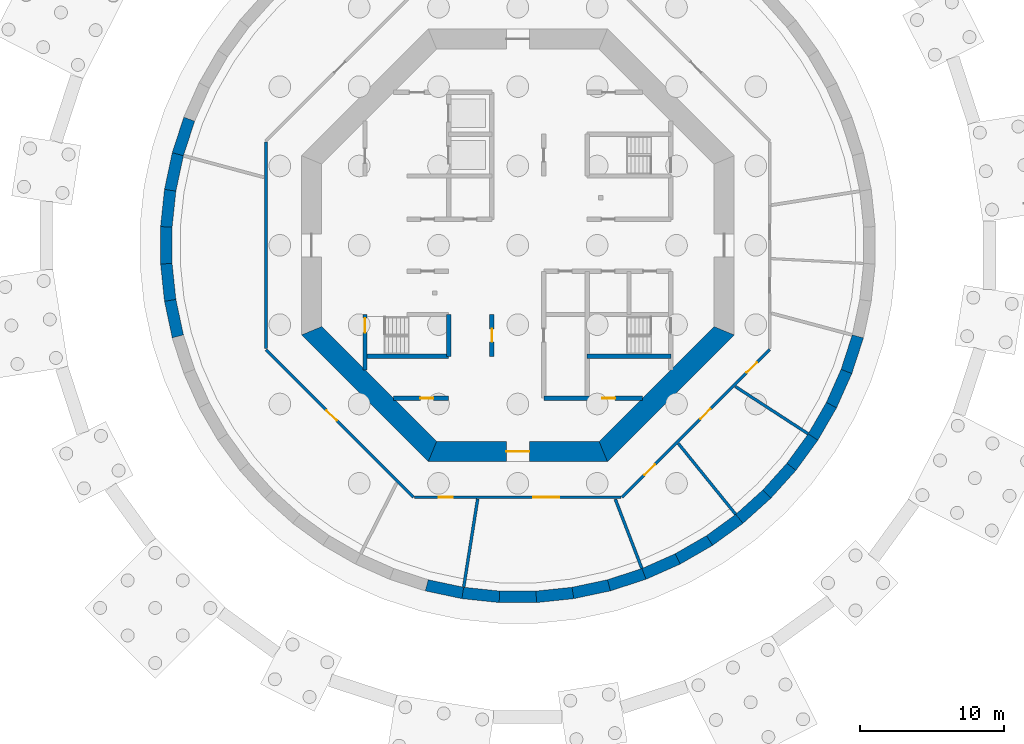
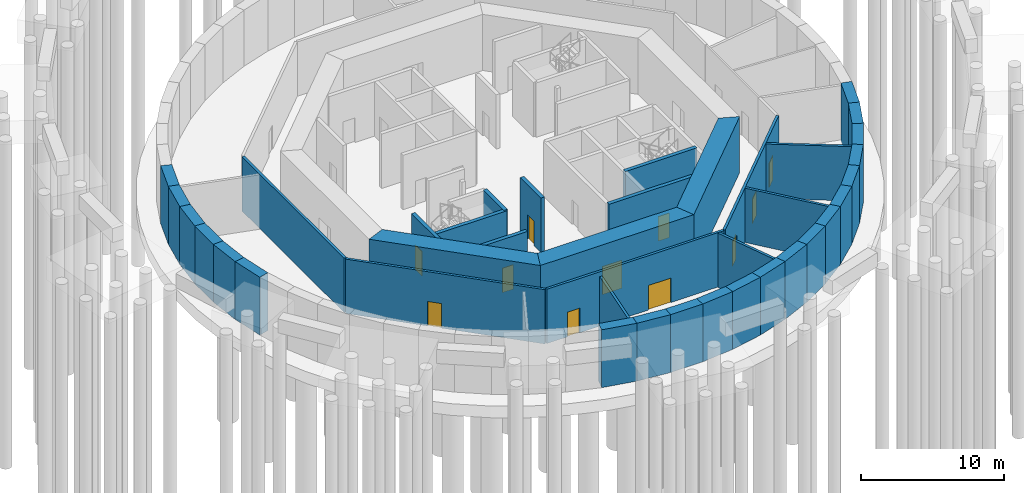
# One storey, part 3 of 8: 39 walls, 11 doors, 11 openings.
"""IFC4 building model written with IfcOpenShell, lengths in metres."""

from ifc_helpers import new_model, si_unit, direction, frame, frame_2d, origin, place, context, subcontext, project, spatial, polyline, rectangle, outline, extrude, material, layer, layer_set, type_object, element, fill, save


model = new_model("IFC4")

# Units and contexts
model_context = context("Model", 3, precision=1e-05, world=origin(), true_north=direction((0.0, 1.0)))
body_context = subcontext(model_context, "Body", "Model", "MODEL_VIEW")
ifc_project = project(units=[si_unit("LENGTHUNIT", "METRE"), si_unit("AREAUNIT", "SQUARE_METRE"), si_unit("VOLUMEUNIT", "CUBIC_METRE"), si_unit("PLANEANGLEUNIT", "RADIAN"), si_unit("MASSUNIT", "GRAM", prefix="KILO")], contexts=[model_context])

# Site, building, storey
site_placement = place(None, origin())
site = spatial("IfcSite", under=ifc_project, at=site_placement, CompositionType="ELEMENT")
building_placement = place(site_placement, origin())
building = spatial("IfcBuilding", under=site, at=building_placement, Name="Entoto Ring Tower", CompositionType="ELEMENT")
storey_placement = place(building_placement, frame((0.0, 0.0, -9.60009765625)))
storey = spatial("IfcBuildingStorey", under=building, at=storey_placement, Name="B2", CompositionType="ELEMENT", Elevation=-9.60009765625)

# Wall, opening, door
ifc_material_1 = material(Name="Concrete C40/50", Category="concrete")
ifc_layer_1 = layer(ifc_material_1, 0.300048828125)
ifc_layer_set_1 = layer_set([ifc_layer_1], Name="Concrete C40/50")
wall_type_1 = type_object("IfcWallType", Name="Core enclosure wall 300 mm reinforced concrete", PredefinedType="SOLIDWALL", material=ifc_layer_set_1)
wall_1_placement = place(storey_placement, frame((88.199951171875, 72.300048828125, 0.0), z_axis=(0.0, 0.0, 1.0), x_axis=(0.0, 1.0, 0.0)))
wall_1 = element("IfcWall", 1, at=wall_1_placement, inside=storey, type_object=wall_type_1, Name="wall-B2-008", PredefinedType="SOLIDWALL", context=body_context, shape_type="SweptSolid", body=[
    extrude(rectangle(XDim=2.89990234375, YDim=0.300048828125, at=frame_2d((1.449951171875, 0.0))), origin(), (0.0, 0.0, 1.0), 4.650146484375),
])
opening_1_placement = place(wall_1_placement, frame((1.0, 0.0, 0.0)))
opening_1 = element("IfcOpeningElement", 2, at=opening_1_placement, cuts=wall_1, Name="Opening K-07", PredefinedType="OPENING", context=body_context, shape_type="SweptSolid", body=[
    extrude(rectangle(XDim=0.89990234375, YDim=2.10009765625, at=frame_2d((0.449951171875, 1.050048828125))), frame((0.0, 0.16015625, 0.0), z_axis=(0.0, -1.0, 0.0), x_axis=(1.0, 0.0, 0.0)), (0.0, 0.0, 1.0), 0.320068359375),
])
ifc_material_2 = material(Name="Steel door leaf, fire rated", Category="steel")
ifc_layer_2 = layer(ifc_material_2, 0.050048828125)
ifc_layer_set_2 = layer_set([ifc_layer_2], Name="Steel door leaf, fire rated")
door_type_1 = type_object("IfcDoorType", Name="Core door 900 x 2100 single leaf", OperationType="NOTDEFINED", PredefinedType="DOOR", material=ifc_layer_set_2)
door_1_placement = place(opening_1_placement, origin())
door_1 = element("IfcDoor", 3, at=door_1_placement, inside=storey, type_object=door_type_1, Name="Door K-07", OperationType="SINGLE_SWING_LEFT", OverallHeight=2.10009765625, OverallWidth=0.89990234375, PredefinedType="DOOR", context=body_context, shape_type="SweptSolid", body=[
    extrude(rectangle(XDim=0.89990234375, YDim=2.10009765625, at=frame_2d((0.449951171875, 1.050048828125))), frame((0.0, 0.02490234375, 0.0), z_axis=(0.0, -1.0, 0.0), x_axis=(1.0, 0.0, 0.0)), (0.0, 0.0, 1.0), 0.050048828125),
])
fill(opening_1, door_1)

# Wall
wall_2_placement = place(storey_placement, frame((85.199951171875, 72.300048828125, 0.0), z_axis=(0.0, 0.0, 1.0), x_axis=(0.0, 1.0, 0.0)))
element("IfcWall", 4, at=wall_2_placement, inside=storey, type_object=wall_type_1, Name="wall-B2-010", PredefinedType="SOLIDWALL", context=body_context, shape_type="SweptSolid", body=[
    extrude(rectangle(XDim=2.89990234375, YDim=0.300048828125, at=frame_2d((1.449951171875, 0.0))), origin(), (0.0, 0.0, 1.0), 4.650146484375),
])

# Wall, opening, door
wall_3_placement = place(storey_placement, frame((79.39990234375, 71.36669921875, 0.0), z_axis=(0.0, 0.0, 1.0), x_axis=(0.0, 1.0, 0.0)))
wall_3 = element("IfcWall", 5, at=wall_3_placement, inside=storey, type_object=wall_type_1, Name="wall-B2-012", PredefinedType="SOLIDWALL", context=body_context, shape_type="SweptSolid", body=[
    extrude(rectangle(XDim=3.833251953125, YDim=0.300048828125, at=frame_2d((1.91650390625, 0.0))), origin(), (0.0, 0.0, 1.0), 4.650146484375),
])
opening_2_placement = place(wall_3_placement, frame((2.583251953125, 0.0, 0.0)))
opening_2 = element("IfcOpeningElement", 6, at=opening_2_placement, cuts=wall_3, Name="Opening K-55", PredefinedType="OPENING", context=body_context, shape_type="SweptSolid", body=[
    extrude(rectangle(XDim=1.0, YDim=2.10009765625, at=frame_2d((0.5, 1.050048828125))), frame((0.0, 0.16015625, 0.0), z_axis=(0.0, -1.0, 0.0), x_axis=(1.0, 0.0, 0.0)), (0.0, 0.0, 1.0), 0.320068359375),
])
ifc_material_3 = material(Name="Steel door leaf, fire rated", Category="steel")
ifc_layer_3 = layer(ifc_material_3, 0.050048828125)
ifc_layer_set_3 = layer_set([ifc_layer_3], Name="Steel door leaf, fire rated")
door_type_2 = type_object("IfcDoorType", Name="Fire door FD60 1000 x 2100 single leaf", OperationType="NOTDEFINED", PredefinedType="DOOR", material=ifc_layer_set_3)
door_2_placement = place(opening_2_placement, frame((1.0, 0.0, 0.0), z_axis=(0.0, 0.0, 1.0), x_axis=(-1.0, 0.0, 0.0)))
door_2 = element("IfcDoor", 7, at=door_2_placement, inside=storey, type_object=door_type_2, Name="Door K-55", OperationType="SINGLE_SWING_LEFT", OverallHeight=2.10009765625, OverallWidth=1.0, PredefinedType="DOOR", context=body_context, shape_type="SweptSolid", body=[
    extrude(rectangle(XDim=1.0, YDim=2.10009765625, at=frame_2d((0.5, 1.050048828125))), frame((0.0, 0.02490234375, 0.0), z_axis=(0.0, -1.0, 0.0), x_axis=(1.0, 0.0, 0.0)), (0.0, 0.0, 1.0), 0.050048828125),
])
fill(opening_2, door_2)

wall_4_placement = place(storey_placement, frame((81.36669921875, 69.39990234375, 0.0), z_axis=(0.0, 0.0, 1.0), x_axis=(1.0, 0.0, 0.0)))
wall_4 = element("IfcWall", 8, at=wall_4_placement, inside=storey, type_object=wall_type_1, Name="wall-B2-014", PredefinedType="SOLIDWALL", context=body_context, shape_type="SweptSolid", body=[
    extrude(rectangle(XDim=3.833251953125, YDim=0.300048828125, at=frame_2d((1.91650390625, 0.0))), origin(), (0.0, 0.0, 1.0), 4.650146484375),
])
opening_3_placement = place(wall_4_placement, frame((1.88330078125, 0.0, 0.0)))
opening_3 = element("IfcOpeningElement", 9, at=opening_3_placement, cuts=wall_4, Name="Opening K-62", PredefinedType="OPENING", context=body_context, shape_type="SweptSolid", body=[
    extrude(rectangle(XDim=0.89990234375, YDim=2.10009765625, at=frame_2d((0.449951171875, 1.050048828125))), frame((0.0, 0.16015625, 0.0), z_axis=(0.0, -1.0, 0.0), x_axis=(1.0, 0.0, 0.0)), (0.0, 0.0, 1.0), 0.320068359375),
])
ifc_material_4 = material(Name="Steel door leaf, fire rated", Category="steel")
ifc_layer_4 = layer(ifc_material_4, 0.050048828125)
ifc_layer_set_4 = layer_set([ifc_layer_4], Name="Steel door leaf, fire rated")
door_type_3 = type_object("IfcDoorType", Name="Riser door FD60 900 x 2100 single leaf", OperationType="NOTDEFINED", PredefinedType="DOOR", material=ifc_layer_set_4)
door_3_placement = place(opening_3_placement, origin())
door_3 = element("IfcDoor", 10, at=door_3_placement, inside=storey, type_object=door_type_3, Name="Door K-62", OperationType="SINGLE_SWING_RIGHT", OverallHeight=2.10009765625, OverallWidth=0.89990234375, PredefinedType="DOOR", context=body_context, shape_type="SweptSolid", body=[
    extrude(rectangle(XDim=0.89990234375, YDim=2.10009765625, at=frame_2d((0.449951171875, 1.050048828125))), frame((0.0, 0.02490234375, 0.0), z_axis=(0.0, -1.0, 0.0), x_axis=(1.0, 0.0, 0.0)), (0.0, 0.0, 1.0), 0.050048828125),
])
fill(opening_3, door_3)

wall_5_placement = place(storey_placement, frame((91.800048828125, 69.39990234375, 0.0), z_axis=(0.0, 0.0, 1.0), x_axis=(1.0, 0.0, 0.0)))
wall_5 = element("IfcWall", 11, at=wall_5_placement, inside=storey, type_object=wall_type_1, Name="wall-B2-015", PredefinedType="SOLIDWALL", context=body_context, shape_type="SweptSolid", body=[
    extrude(rectangle(XDim=6.833251953125, YDim=0.300048828125, at=frame_2d((3.41650390625, 0.0))), origin(), (0.0, 0.0, 1.0), 4.650146484375),
])
opening_4_placement = place(wall_5_placement, frame((4.050048828125, 0.0, 0.0)))
opening_4 = element("IfcOpeningElement", 12, at=opening_4_placement, cuts=wall_5, Name="Opening K-20", PredefinedType="OPENING", context=body_context, shape_type="SweptSolid", body=[
    extrude(rectangle(XDim=0.89990234375, YDim=2.10009765625, at=frame_2d((0.449951171875, 1.050048828125))), frame((0.0, 0.16015625, 0.0), z_axis=(0.0, -1.0, 0.0), x_axis=(1.0, 0.0, 0.0)), (0.0, 0.0, 1.0), 0.320068359375),
])
door_4_placement = place(opening_4_placement, origin())
door_4 = element("IfcDoor", 13, at=door_4_placement, inside=storey, type_object=door_type_3, Name="Door K-20", OperationType="SINGLE_SWING_LEFT", OverallHeight=2.10009765625, OverallWidth=0.89990234375, PredefinedType="DOOR", context=body_context, shape_type="SweptSolid", body=[
    extrude(rectangle(XDim=0.89990234375, YDim=2.10009765625, at=frame_2d((0.449951171875, 1.050048828125))), frame((0.0, 0.02490234375, 0.0), z_axis=(0.0, -1.0, 0.0), x_axis=(1.0, 0.0, 0.0)), (0.0, 0.0, 1.0), 0.050048828125),
])
fill(opening_4, door_4)

# Walls
for number, where, z_axis, x_axis, name in (
    (14, (79.39990234375, 72.300048828125, 0.0), (0.0, 0.0, 1.0), (1.0, 0.0, 0.0), "wall-B2-016"),
    (15, (94.800048828125, 72.300048828125, 0.0), (0.0, 0.0, 1.0), (1.0, 0.0, 0.0), "wall-B2-017"),
):
    element("IfcWall", number, at=place(storey_placement, frame(where, z_axis=z_axis, x_axis=x_axis)), inside=storey, type_object=wall_type_1, Name=name, PredefinedType="SOLIDWALL", context=body_context, shape_type="SweptSolid", body=[
        extrude(rectangle(XDim=5.800048828125, YDim=0.300048828125, at=frame_2d((2.89990234375, 0.0))), origin(), (0.0, 0.0, 1.0), 4.650146484375),
    ])
ifc_material_5 = material(Name="Concrete C60/75", Category="concrete")
ifc_layer_5 = layer(ifc_material_5, 1.39990234375)
ifc_layer_set_5 = layer_set([ifc_layer_5], Name="Concrete C60/75")
wall_type_2 = type_object("IfcWallType", Name="Core shear wall 1400 mm reinforced concrete C60/75", PredefinedType="SHEAR", material=ifc_layer_set_5)
wall_6_placement = place(storey_placement, frame((75.699951171875, 74.07666015625, 0.0), z_axis=(0.0, 0.0, 1.0), x_axis=(0.707106781187, -0.707106781187, 0.0)))
element("IfcWall", 16, at=wall_6_placement, inside=storey, type_object=wall_type_2, Name="wall-B2-core-5", PredefinedType="SHEAR", context=body_context, shape_type="SweptSolid", body=[
    extrude(outline(polyline([(-0.2900390625, -0.699951171875), (12.136474609375, -0.699951171875), (11.556396484375, 0.699951171875), (0.2900390625, 0.699951171875), (-0.2900390625, -0.699951171875)])), origin(), (0.0, 0.0, 1.0), 4.800048828125),
])

# Wall, opening, door
wall_7_placement = place(storey_placement, frame((84.07666015625, 65.699951171875, 0.0), z_axis=(0.0, 0.0, 1.0), x_axis=(1.0, 0.0, 0.0)))
wall_7 = element("IfcWall", 17, at=wall_7_placement, inside=storey, type_object=wall_type_2, Name="wall-B2-core-6", PredefinedType="SHEAR", context=body_context, shape_type="SweptSolid", body=[
    extrude(outline(polyline([(-0.2900390625, -0.699951171875), (12.13671875, -0.699951171875), (11.556640625, 0.699951171875), (0.2900390625, 0.699951171875), (-0.2900390625, -0.699951171875)])), origin(), (0.0, 0.0, 1.0), 4.800048828125),
])
opening_5_placement = place(wall_7_placement, frame((5.123291015625, 0.0, 0.0)))
opening_5 = element("IfcOpeningElement", 18, at=opening_5_placement, cuts=wall_7, Name="Opening K-04", PredefinedType="OPENING", context=body_context, shape_type="SweptSolid", body=[
    extrude(rectangle(XDim=1.60009765625, YDim=2.39990234375, at=frame_2d((0.800048828125, 1.199951171875))), frame((0.0, 0.7099609375, 0.0), z_axis=(0.0, -1.0, 0.0), x_axis=(1.0, 0.0, 0.0)), (0.0, 0.0, 1.0), 1.419921875),
])
ifc_material_6 = material(Name="Steel door leaf, fire rated", Category="steel")
ifc_layer_6 = layer(ifc_material_6, 0.050048828125)
ifc_layer_set_6 = layer_set([ifc_layer_6], Name="Steel door leaf, fire rated")
door_type_4 = type_object("IfcDoorType", Name="Entrance door FD60 1600 x 2400 double leaf", OperationType="DOUBLE_DOOR_SINGLE_SWING", PredefinedType="DOOR", material=ifc_layer_set_6)
door_5_placement = place(opening_5_placement, origin())
door_5 = element("IfcDoor", 19, at=door_5_placement, inside=storey, type_object=door_type_4, Name="Entrance door K-04", OperationType="DOUBLE_DOOR_SINGLE_SWING", OverallHeight=2.39990234375, OverallWidth=1.60009765625, PredefinedType="DOOR", context=body_context, shape_type="SweptSolid", body=[
    extrude(rectangle(XDim=1.60009765625, YDim=2.39990234375, at=frame_2d((0.800048828125, 1.199951171875))), frame((0.0, 0.02490234375, 0.0), z_axis=(0.0, -1.0, 0.0), x_axis=(1.0, 0.0, 0.0)), (0.0, 0.0, 1.0), 0.050048828125),
])
fill(opening_5, door_5)

# Wall
wall_8_placement = place(storey_placement, frame((95.92333984375, 65.699951171875, 0.0), z_axis=(0.0, 0.0, 1.0), x_axis=(0.707106781187, 0.707106781187, 0.0)))
element("IfcWall", 20, at=wall_8_placement, inside=storey, type_object=wall_type_2, Name="wall-B2-core-7", PredefinedType="SHEAR", context=body_context, shape_type="SweptSolid", body=[
    extrude(outline(polyline([(-0.2900390625, -0.699951171875), (12.136474609375, -0.699951171875), (11.556396484375, 0.699951171875), (0.2900390625, 0.699951171875), (-0.2900390625, -0.699951171875)])), origin(), (0.0, 0.0, 1.0), 4.800048828125),
])

# Wall, opening, door
ifc_material_7 = material(Name="Concrete C20/25", Category="concrete")
ifc_layer_7 = layer(ifc_material_7, 0.199951171875)
ifc_layer_set_7 = layer_set([ifc_layer_7], Name="Concrete C20/25")
wall_type_3 = type_object("IfcWallType", Name="Plant room wall 200 mm two-hour concrete", PredefinedType="PARTITIONING", material=ifc_layer_set_7)
wall_9_placement = place(storey_placement, frame((82.766845703125, 62.53759765625, 0.0), z_axis=(0.0, 0.0, 1.0), x_axis=(-0.707106781187, 0.707106781187, 0.0)))
wall_9 = element("IfcWall", 21, at=wall_9_placement, inside=storey, type_object=wall_type_3, Name="partition-B2-004", PredefinedType="PARTITIONING", context=body_context, shape_type="SweptSolid", body=[
    extrude(rectangle(XDim=14.46630859375, YDim=0.199951171875, at=frame_2d((7.233154296875, 0.0))), origin(), (0.0, 0.0, 1.0), 4.650146484375),
])
opening_6_placement = place(wall_9_placement, frame((7.5126953125, 0.0, 0.0)))
opening_6 = element("IfcOpeningElement", 22, at=opening_6_placement, cuts=wall_9, Name="Opening B02-D03", PredefinedType="OPENING", context=body_context, shape_type="SweptSolid", body=[
    extrude(rectangle(XDim=1.0, YDim=2.10009765625, at=frame_2d((0.5, 1.050048828125))), frame((0.0, 0.10986328125, 0.0), z_axis=(0.0, -1.0, 0.0), x_axis=(1.0, 0.0, 0.0)), (0.0, 0.0, 1.0), 0.219970703125),
])
ifc_material_8 = material(Name="Fire-resisting steel door set", Category="steel")
door_type_5 = type_object("IfcDoorType", Name="Door 1000 x 2100 single leaf FD60 steel door", OperationType="NOTDEFINED", PredefinedType="DOOR", material=ifc_material_8)
door_6_placement = place(opening_6_placement, origin())
door_6 = element("IfcDoor", 23, at=door_6_placement, inside=storey, type_object=door_type_5, Name="Door B02-D03", OperationType="SINGLE_SWING_LEFT", OverallHeight=2.10009765625, OverallWidth=1.0, PredefinedType="DOOR", context=body_context, shape_type="SweptSolid", body=[
    extrude(rectangle(XDim=1.0, YDim=2.10009765625, at=frame_2d((0.5, 1.050048828125))), frame((0.0, 0.02490234375, 0.0), z_axis=(0.0, -1.0, 0.0), x_axis=(1.0, 0.0, 0.0)), (0.0, 0.0, 1.0), 0.050048828125),
])
fill(opening_6, door_6)

# Wall, openings, doors
wall_10_placement = place(storey_placement, frame((97.233154296875, 62.53759765625, 0.0), z_axis=(0.0, 0.0, 1.0), x_axis=(0.707106781187, 0.707106781187, 0.0)))
wall_10 = element("IfcWall", 24, at=wall_10_placement, inside=storey, type_object=wall_type_3, Name="partition-B2-005", PredefinedType="PARTITIONING", context=body_context, shape_type="SweptSolid", body=[
    extrude(rectangle(XDim=14.46630859375, YDim=0.199951171875, at=frame_2d((7.233154296875, 0.0))), origin(), (0.0, 0.0, 1.0), 4.650146484375),
])
opening_7_placement = place(wall_10_placement, frame((2.198974609375, 0.0, 0.0)))
opening_7 = element("IfcOpeningElement", 25, at=opening_7_placement, cuts=wall_10, Name="Opening B02-D06", PredefinedType="OPENING", context=body_context, shape_type="SweptSolid", body=[
    extrude(rectangle(XDim=1.0, YDim=2.10009765625, at=frame_2d((0.5, 1.050048828125))), frame((0.0, 0.10986328125, 0.0), z_axis=(0.0, -1.0, 0.0), x_axis=(1.0, 0.0, 0.0)), (0.0, 0.0, 1.0), 0.219970703125),
])
opening_8_placement = place(wall_10_placement, frame((7.67138671875, 0.0, 0.0)))
opening_8 = element("IfcOpeningElement", 26, at=opening_8_placement, cuts=wall_10, Name="Opening B02-D07", PredefinedType="OPENING", context=body_context, shape_type="SweptSolid", body=[
    extrude(rectangle(XDim=1.0, YDim=2.10009765625, at=frame_2d((0.5, 1.050048828125))), frame((0.0, 0.10986328125, 0.0), z_axis=(0.0, -1.0, 0.0), x_axis=(1.0, 0.0, 0.0)), (0.0, 0.0, 1.0), 0.219970703125),
])
opening_9_placement = place(wall_10_placement, frame((12.20556640625, 0.0, 0.0)))
opening_9 = element("IfcOpeningElement", 27, at=opening_9_placement, cuts=wall_10, Name="Opening B02-D08", PredefinedType="OPENING", context=body_context, shape_type="SweptSolid", body=[
    extrude(rectangle(XDim=1.0, YDim=2.10009765625, at=frame_2d((0.5, 1.050048828125))), frame((0.0, 0.10986328125, 0.0), z_axis=(0.0, -1.0, 0.0), x_axis=(1.0, 0.0, 0.0)), (0.0, 0.0, 1.0), 0.219970703125),
])
door_7_placement = place(opening_7_placement, frame((1.0, 0.0, 0.0), z_axis=(0.0, 0.0, 1.0), x_axis=(-1.0, 0.0, 0.0)))
door_7 = element("IfcDoor", 28, at=door_7_placement, inside=storey, type_object=door_type_5, Name="Door B02-D06", OperationType="SINGLE_SWING_LEFT", OverallHeight=2.10009765625, OverallWidth=1.0, PredefinedType="DOOR", context=body_context, shape_type="SweptSolid", body=[
    extrude(rectangle(XDim=1.0, YDim=2.10009765625, at=frame_2d((0.5, 1.050048828125))), frame((0.0, 0.02490234375, 0.0), z_axis=(0.0, -1.0, 0.0), x_axis=(1.0, 0.0, 0.0)), (0.0, 0.0, 1.0), 0.050048828125),
])
fill(opening_7, door_7)
door_8_placement = place(opening_8_placement, frame((1.0, 0.0, 0.0), z_axis=(0.0, 0.0, 1.0), x_axis=(-1.0, 0.0, 0.0)))
door_8 = element("IfcDoor", 29, at=door_8_placement, inside=storey, type_object=door_type_5, Name="Door B02-D07", OperationType="SINGLE_SWING_RIGHT", OverallHeight=2.10009765625, OverallWidth=1.0, PredefinedType="DOOR", context=body_context, shape_type="SweptSolid", body=[
    extrude(rectangle(XDim=1.0, YDim=2.10009765625, at=frame_2d((0.5, 1.050048828125))), frame((0.0, 0.02490234375, 0.0), z_axis=(0.0, -1.0, 0.0), x_axis=(1.0, 0.0, 0.0)), (0.0, 0.0, 1.0), 0.050048828125),
])
fill(opening_8, door_8)
door_9_placement = place(opening_9_placement, frame((1.0, 0.0, 0.0), z_axis=(0.0, 0.0, 1.0), x_axis=(-1.0, 0.0, 0.0)))
door_9 = element("IfcDoor", 30, at=door_9_placement, inside=storey, type_object=door_type_5, Name="Door B02-D08", OperationType="SINGLE_SWING_RIGHT", OverallHeight=2.10009765625, OverallWidth=1.0, PredefinedType="DOOR", context=body_context, shape_type="SweptSolid", body=[
    extrude(rectangle(XDim=1.0, YDim=2.10009765625, at=frame_2d((0.5, 1.050048828125))), frame((0.0, 0.02490234375, 0.0), z_axis=(0.0, -1.0, 0.0), x_axis=(1.0, 0.0, 0.0)), (0.0, 0.0, 1.0), 0.050048828125),
])
fill(opening_9, door_9)

# Wall
wall_11_placement = place(storey_placement, frame((72.53759765625, 72.83740234375, 0.0), z_axis=(0.0, 0.0, 1.0), x_axis=(0.0, 1.0, 0.0)))
element("IfcWall", 31, at=wall_11_placement, inside=storey, type_object=wall_type_3, Name="partition-B2-007", PredefinedType="PARTITIONING", context=body_context, shape_type="SweptSolid", body=[
    extrude(rectangle(XDim=14.3251953125, YDim=0.199951171875, at=frame_2d((7.16259765625, 0.0))), origin(), (0.0, 0.0, 1.0), 4.650146484375),
])

# Wall, openings, doors
wall_12_placement = place(storey_placement, frame((82.83740234375, 62.53759765625, 0.0), z_axis=(0.0, 0.0, 1.0), x_axis=(1.0, 0.0, 0.0)))
wall_12 = element("IfcWall", 32, at=wall_12_placement, inside=storey, type_object=wall_type_3, Name="partition-B2-008", PredefinedType="PARTITIONING", context=body_context, shape_type="SweptSolid", body=[
    extrude(rectangle(XDim=14.3251953125, YDim=0.199951171875, at=frame_2d((7.16259765625, 0.0))), origin(), (0.0, 0.0, 1.0), 4.650146484375),
])
opening_10_placement = place(wall_12_placement, frame((1.663330078125, 0.0, 0.0)))
opening_10 = element("IfcOpeningElement", 33, at=opening_10_placement, cuts=wall_12, Name="Opening B02-D04", PredefinedType="OPENING", context=body_context, shape_type="SweptSolid", body=[
    extrude(rectangle(XDim=1.0, YDim=2.10009765625, at=frame_2d((0.5, 1.050048828125))), frame((0.0, 0.10986328125, 0.0), z_axis=(0.0, -1.0, 0.0), x_axis=(1.0, 0.0, 0.0)), (0.0, 0.0, 1.0), 0.219970703125),
])
opening_11_placement = place(wall_12_placement, frame((8.2314453125, 0.0, 0.0)))
opening_11 = element("IfcOpeningElement", 34, at=opening_11_placement, cuts=wall_12, Name="Opening B02-D05", PredefinedType="OPENING", context=body_context, shape_type="SweptSolid", body=[
    extrude(rectangle(XDim=1.800048828125, YDim=2.10009765625, at=frame_2d((0.89990234375, 1.050048828125))), frame((0.0, 0.10986328125, 0.0), z_axis=(0.0, -1.0, 0.0), x_axis=(1.0, 0.0, 0.0)), (0.0, 0.0, 1.0), 0.219970703125),
])
door_10_placement = place(opening_10_placement, frame((1.0, 0.0, 0.0), z_axis=(0.0, 0.0, 1.0), x_axis=(-1.0, 0.0, 0.0)))
door_10 = element("IfcDoor", 35, at=door_10_placement, inside=storey, type_object=door_type_5, Name="Door B02-D04", OperationType="SINGLE_SWING_LEFT", OverallHeight=2.10009765625, OverallWidth=1.0, PredefinedType="DOOR", context=body_context, shape_type="SweptSolid", body=[
    extrude(rectangle(XDim=1.0, YDim=2.10009765625, at=frame_2d((0.5, 1.050048828125))), frame((0.0, 0.02490234375, 0.0), z_axis=(0.0, -1.0, 0.0), x_axis=(1.0, 0.0, 0.0)), (0.0, 0.0, 1.0), 0.050048828125),
])
fill(opening_10, door_10)
ifc_material_9 = material(Name="Fire-resisting steel door set", Category="steel")
door_type_6 = type_object("IfcDoorType", Name="Door 1800 x 2100 double leaf FD60 steel door", OperationType="DOUBLE_DOOR_SINGLE_SWING", PredefinedType="DOOR", material=ifc_material_9)
door_11_placement = place(opening_11_placement, frame((1.800048828125, 0.0, 0.0), z_axis=(0.0, 0.0, 1.0), x_axis=(-1.0, 0.0, 0.0)))
door_11 = element("IfcDoor", 36, at=door_11_placement, inside=storey, type_object=door_type_6, Name="Door B02-D05", OperationType="DOUBLE_DOOR_SINGLE_SWING", OverallHeight=2.10009765625, OverallWidth=1.800048828125, PredefinedType="DOOR", context=body_context, shape_type="SweptSolid", body=[
    extrude(rectangle(XDim=1.800048828125, YDim=2.10009765625, at=frame_2d((0.89990234375, 1.050048828125))), frame((0.0, 0.02490234375, 0.0), z_axis=(0.0, -1.0, 0.0), x_axis=(1.0, 0.0, 0.0)), (0.0, 0.0, 1.0), 0.050048828125),
])
fill(opening_11, door_11)

# Walls
wall_13_placement = place(storey_placement, frame((105.1005859375, 61.352294921875, 0.0), z_axis=(0.0, 0.0, 1.0), x_axis=(-0.629320355888, 0.77714598993, 0.0)))
element("IfcWall", 37, at=wall_13_placement, inside=storey, type_object=wall_type_3, Name="partition-B2-011", PredefinedType="PARTITIONING", context=body_context, shape_type="SweptSolid", body=[
    extrude(rectangle(XDim=6.325439453125, YDim=0.199951171875, at=frame_2d((3.16259765625, 0.0))), origin(), (0.0, 0.0, 1.0), 4.650146484375),
])
wall_14_placement = place(storey_placement, frame((110.123779296875, 66.931396484375, 0.0), z_axis=(0.0, 0.0, 1.0), x_axis=(-0.8386548451, 0.544663245309, 0.0)))
element("IfcWall", 38, at=wall_14_placement, inside=storey, type_object=wall_type_3, Name="partition-B2-014", PredefinedType="PARTITIONING", context=body_context, shape_type="SweptSolid", body=[
    extrude(rectangle(XDim=6.01904296875, YDim=0.199951171875, at=frame_2d((3.009521484375, 0.0))), origin(), (0.0, 0.0, 1.0), 4.650146484375),
])
wall_15_placement = place(storey_placement, frame((98.59912109375, 57.5986328125, 0.0), z_axis=(0.0, 0.0, 1.0), x_axis=(-0.35836211696, 0.933582665396, 0.0)))
element("IfcWall", 39, at=wall_15_placement, inside=storey, type_object=wall_type_3, Name="partition-B2-018", PredefinedType="PARTITIONING", context=body_context, shape_type="SweptSolid", body=[
    extrude(rectangle(XDim=5.14501953125, YDim=0.199951171875, at=frame_2d((2.572509765625, 0.0))), origin(), (0.0, 0.0, 1.0), 4.650146484375),
])
ifc_material_10 = material(Name="Concrete C20/25", Category="concrete")
ifc_layer_8 = layer(ifc_material_10, 0.199951171875)
ifc_layer_set_8 = layer_set([ifc_layer_8], Name="Concrete C20/25")
wall_type_4 = type_object("IfcWallType", Name="Plant room wall 200 mm two-hour concrete, 4250 mm high", PredefinedType="PARTITIONING", material=ifc_layer_set_8)
wall_16_placement = place(storey_placement, frame((86.246337890625, 56.30029296875, 0.0), z_axis=(0.0, 0.0, 1.0), x_axis=(0.156421728124, 0.98769035784, 0.0)))
element("IfcWall", 40, at=wall_16_placement, inside=storey, type_object=wall_type_4, Name="partition-B2-012", PredefinedType="PARTITIONING", context=body_context, shape_type="SweptSolid", body=[
    extrude(rectangle(XDim=6.19775390625, YDim=0.199951171875, at=frame_2d((3.098876953125, 0.0))), origin(), (0.0, 0.0, 1.0), 4.25),
])
ifc_material_11 = material(Name="Concrete C40/50", Category="concrete")
ifc_layer_9 = layer(ifc_material_11, 0.800048828125)
ifc_layer_set_9 = layer_set([ifc_layer_9], Name="Concrete C40/50")
wall_type_5 = type_object("IfcWallType", Name="Retaining wall 800 mm lower basement", PredefinedType="SOLIDWALL", material=ifc_layer_set_9)
wall_17_placement = place(storey_placement, frame((67.22021484375, 88.744384765625, -0.14990234375), z_axis=(0.0, 0.0, 1.0), x_axis=(-0.30904932669, -0.951046010282, 0.0)))
element("IfcWall", 41, at=wall_17_placement, inside=storey, type_object=wall_type_5, Name="Retaining wall B2 26", PredefinedType="SOLIDWALL", context=body_context, shape_type="SweptSolid", body=[
    extrude(outline(polyline([(-0.02099609375, -0.39990234375), (2.574951171875, -0.39990234375), (2.532958984375, 0.39990234375), (0.02099609375, 0.39990234375), (-0.02099609375, -0.39990234375)])), origin(), (0.0, 0.0, 1.0), 4.949951171875),
])
wall_18_placement = place(storey_placement, frame((66.430908203125, 86.3154296875, -0.14990234375), z_axis=(0.0, 0.0, 1.0), x_axis=(-0.207903341306, -0.97814937544, 0.0)))
element("IfcWall", 42, at=wall_18_placement, inside=storey, type_object=wall_type_5, Name="Retaining wall B2 27", PredefinedType="SOLIDWALL", context=body_context, shape_type="SweptSolid", body=[
    extrude(outline(polyline([(-0.02099609375, -0.39990234375), (2.5751953125, -0.39990234375), (2.533203125, 0.39990234375), (0.02099609375, 0.39990234375), (-0.02099609375, -0.39990234375)])), origin(), (0.0, 0.0, 1.0), 4.949951171875),
])
wall_19_placement = place(storey_placement, frame((65.89990234375, 83.817138671875, -0.14990234375), z_axis=(0.0, 0.0, 1.0), x_axis=(-0.104575313845, -0.994516970058, 0.0)))
element("IfcWall", 43, at=wall_19_placement, inside=storey, type_object=wall_type_5, Name="Retaining wall B2 28", PredefinedType="SOLIDWALL", context=body_context, shape_type="SweptSolid", body=[
    extrude(outline(polyline([(-0.02099609375, -0.39990234375), (2.574951171875, -0.39990234375), (2.532958984375, 0.39990234375), (0.02099609375, 0.39990234375), (-0.02099609375, -0.39990234375)])), origin(), (0.0, 0.0, 1.0), 4.949951171875),
])
wall_20_placement = place(storey_placement, frame((65.6328125, 81.277099609375, -0.14990234375), z_axis=(0.0, 0.0, 1.0), x_axis=(0.0, -1.0, 0.0)))
element("IfcWall", 44, at=wall_20_placement, inside=storey, type_object=wall_type_5, Name="Retaining wall B2 29", PredefinedType="SOLIDWALL", context=body_context, shape_type="SweptSolid", body=[
    extrude(outline(polyline([(-0.02099609375, -0.39990234375), (2.5751953125, -0.39990234375), (2.533203125, 0.39990234375), (0.02099609375, 0.39990234375), (-0.02099609375, -0.39990234375)])), origin(), (0.0, 0.0, 1.0), 4.949951171875),
])
wall_21_placement = place(storey_placement, frame((65.6328125, 78.722900390625, -0.14990234375), z_axis=(0.0, 0.0, 1.0), x_axis=(0.104575313845, -0.994516970058, 0.0)))
element("IfcWall", 45, at=wall_21_placement, inside=storey, type_object=wall_type_5, Name="Retaining wall B2 30", PredefinedType="SOLIDWALL", context=body_context, shape_type="SweptSolid", body=[
    extrude(outline(polyline([(-0.02099609375, -0.39990234375), (2.574951171875, -0.39990234375), (2.532958984375, 0.39990234375), (0.02099609375, 0.39990234375), (-0.02099609375, -0.39990234375)])), origin(), (0.0, 0.0, 1.0), 4.949951171875),
])
for number, where, z_axis, x_axis, name in (
    (46, (65.89990234375, 76.182861328125, -0.14990234375), (0.0, 0.0, 1.0), (0.207903341306, -0.97814937544, 0.0), "Retaining wall B2 31"),
    (47, (83.6845703125, 56.430908203125, -0.14990234375), (0.0, 0.0, 1.0), (0.97814937544, -0.207903341306, 0.0), "Retaining wall B2 42"),
):
    element("IfcWall", number, at=place(storey_placement, frame(where, z_axis=z_axis, x_axis=x_axis)), inside=storey, type_object=wall_type_5, Name=name, PredefinedType="SOLIDWALL", context=body_context, shape_type="SweptSolid", body=[
        extrude(outline(polyline([(-0.02099609375, -0.39990234375), (2.5751953125, -0.39990234375), (2.533203125, 0.39990234375), (0.02099609375, 0.39990234375), (-0.02099609375, -0.39990234375)])), origin(), (0.0, 0.0, 1.0), 4.949951171875),
    ])
wall_22_placement = place(storey_placement, frame((86.182861328125, 55.89990234375, -0.14990234375), z_axis=(0.0, 0.0, 1.0), x_axis=(0.994516970058, -0.104575313845, 0.0)))
element("IfcWall", 48, at=wall_22_placement, inside=storey, type_object=wall_type_5, Name="Retaining wall B2 43", PredefinedType="SOLIDWALL", context=body_context, shape_type="SweptSolid", body=[
    extrude(outline(polyline([(-0.02099609375, -0.39990234375), (2.574951171875, -0.39990234375), (2.532958984375, 0.39990234375), (0.02099609375, 0.39990234375), (-0.02099609375, -0.39990234375)])), origin(), (0.0, 0.0, 1.0), 4.949951171875),
])
wall_23_placement = place(storey_placement, frame((88.722900390625, 55.6328125, -0.14990234375), z_axis=(0.0, 0.0, 1.0), x_axis=(1.0, 0.0, 0.0)))
element("IfcWall", 49, at=wall_23_placement, inside=storey, type_object=wall_type_5, Name="Retaining wall B2 44", PredefinedType="SOLIDWALL", context=body_context, shape_type="SweptSolid", body=[
    extrude(outline(polyline([(-0.02099609375, -0.39990234375), (2.5751953125, -0.39990234375), (2.533203125, 0.39990234375), (0.02099609375, 0.39990234375), (-0.02099609375, -0.39990234375)])), origin(), (0.0, 0.0, 1.0), 4.949951171875),
])
wall_24_placement = place(storey_placement, frame((91.277099609375, 55.6328125, -0.14990234375), z_axis=(0.0, 0.0, 1.0), x_axis=(0.994516970058, 0.104575313845, 0.0)))
element("IfcWall", 50, at=wall_24_placement, inside=storey, type_object=wall_type_5, Name="Retaining wall B2 45", PredefinedType="SOLIDWALL", context=body_context, shape_type="SweptSolid", body=[
    extrude(outline(polyline([(-0.02099609375, -0.39990234375), (2.574951171875, -0.39990234375), (2.532958984375, 0.39990234375), (0.02099609375, 0.39990234375), (-0.02099609375, -0.39990234375)])), origin(), (0.0, 0.0, 1.0), 4.949951171875),
])
wall_25_placement = place(storey_placement, frame((93.817138671875, 55.89990234375, -0.14990234375), z_axis=(0.0, 0.0, 1.0), x_axis=(0.97814937544, 0.207903341306, 0.0)))
element("IfcWall", 51, at=wall_25_placement, inside=storey, type_object=wall_type_5, Name="Retaining wall B2 46", PredefinedType="SOLIDWALL", context=body_context, shape_type="SweptSolid", body=[
    extrude(outline(polyline([(-0.02099609375, -0.39990234375), (2.5751953125, -0.39990234375), (2.533203125, 0.39990234375), (0.02099609375, 0.39990234375), (-0.02099609375, -0.39990234375)])), origin(), (0.0, 0.0, 1.0), 4.949951171875),
])
for number, where, z_axis, x_axis, name in (
    (52, (96.3154296875, 56.430908203125, -0.14990234375), (0.0, 0.0, 1.0), (0.951046010282, 0.30904932669, 0.0), "Retaining wall B2 47"),
    (53, (98.744384765625, 57.22021484375, -0.14990234375), (0.0, 0.0, 1.0), (0.913547252927, 0.406732610778, 0.0), "Retaining wall B2 48"),
    (54, (101.07763671875, 58.259033203125, -0.14990234375), (0.0, 0.0, 1.0), (0.866058244174, 0.499943114462, 0.0), "Retaining wall B2 49"),
    (55, (103.28955078125, 59.535888671875, -0.14990234375), (0.0, 0.0, 1.0), (0.809004694129, 0.587802181756, 0.0), "Retaining wall B2 50"),
):
    element("IfcWall", number, at=place(storey_placement, frame(where, z_axis=z_axis, x_axis=x_axis)), inside=storey, type_object=wall_type_5, Name=name, PredefinedType="SOLIDWALL", context=body_context, shape_type="SweptSolid", body=[
        extrude(outline(polyline([(-0.02099609375, -0.39990234375), (2.574951171875, -0.39990234375), (2.532958984375, 0.39990234375), (0.02099609375, 0.39990234375), (-0.02099609375, -0.39990234375)])), origin(), (0.0, 0.0, 1.0), 4.949951171875),
    ])
for number, where, z_axis, x_axis, name in (
    (56, (105.355712890625, 61.037109375, -0.14990234375), (0.0, 0.0, 1.0), (0.74317531308, 0.669096744895, 0.0), "Retaining wall B2 51"),
    (57, (107.25390625, 62.74609375, -0.14990234375), (0.0, 0.0, 1.0), (0.669096744895, 0.74317531308, 0.0), "Retaining wall B2 52"),
):
    element("IfcWall", number, at=place(storey_placement, frame(where, z_axis=z_axis, x_axis=x_axis)), inside=storey, type_object=wall_type_5, Name=name, PredefinedType="SOLIDWALL", context=body_context, shape_type="SweptSolid", body=[
        extrude(outline(polyline([(-0.02099609375, -0.39990234375), (2.5751953125, -0.39990234375), (2.533203125, 0.39990234375), (0.02099609375, 0.39990234375), (-0.02099609375, -0.39990234375)])), origin(), (0.0, 0.0, 1.0), 4.949951171875),
    ])
for number, where, z_axis, x_axis, name in (
    (58, (108.962890625, 64.644287109375, -0.14990234375), (0.0, 0.0, 1.0), (0.587802181756, 0.809004694129, 0.0), "Retaining wall B2 53"),
    (59, (110.464111328125, 66.71044921875, -0.14990234375), (0.0, 0.0, 1.0), (0.499943114462, 0.866058244174, 0.0), "Retaining wall B2 54"),
    (60, (111.740966796875, 68.92236328125, -0.14990234375), (0.0, 0.0, 1.0), (0.406732610778, 0.913547252927, 0.0), "Retaining wall B2 55"),
    (61, (112.77978515625, 71.255615234375, -0.14990234375), (0.0, 0.0, 1.0), (0.30904932669, 0.951046010282, 0.0), "Retaining wall B2 56"),
):
    element("IfcWall", number, at=place(storey_placement, frame(where, z_axis=z_axis, x_axis=x_axis)), inside=storey, type_object=wall_type_5, Name=name, PredefinedType="SOLIDWALL", context=body_context, shape_type="SweptSolid", body=[
        extrude(outline(polyline([(-0.02099609375, -0.39990234375), (2.574951171875, -0.39990234375), (2.532958984375, 0.39990234375), (0.02099609375, 0.39990234375), (-0.02099609375, -0.39990234375)])), origin(), (0.0, 0.0, 1.0), 4.949951171875),
    ])

save(model, "model.ifc")
